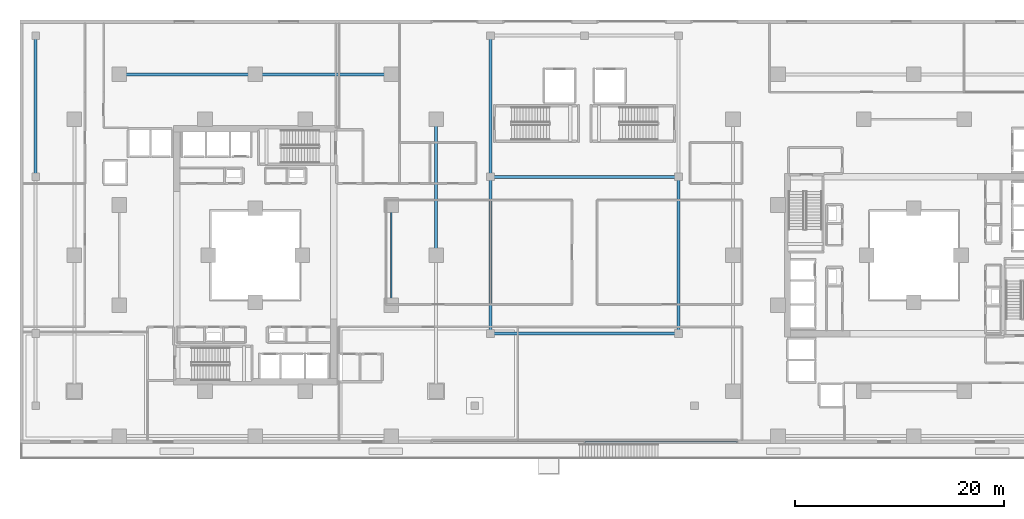
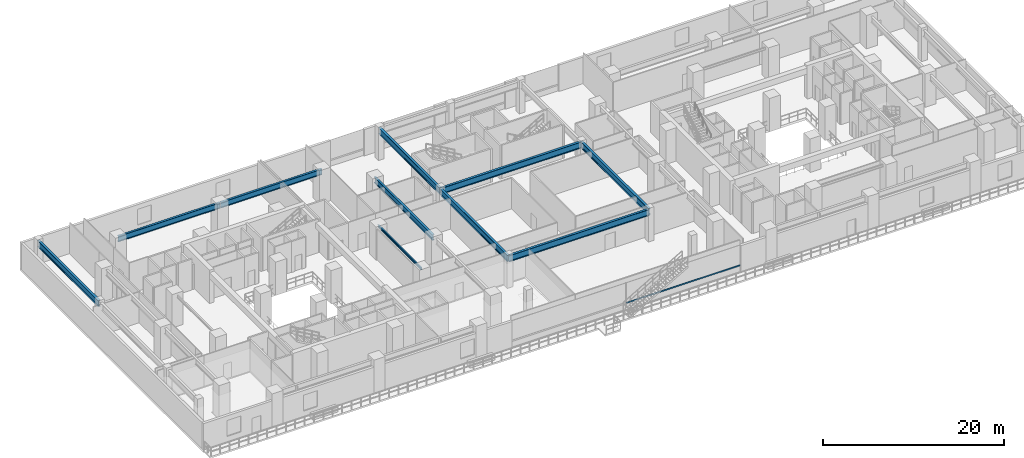
# One storey, part 4 of 24: 10 beams, 1 member, 1 element without a shape of its own.
"""IFC4 building model written with IfcOpenShell, lengths in metres."""

from ifc_helpers import new_model, si_unit, direction, frame, origin, origin_2d, place, context, subcontext, project, spatial, hollow_rectangle, i_section, extrude, material, material_profile, profile_set, type_object, element, aggregate, save


model = new_model("IFC4")

# Units and contexts
model_context = context("Model", 3, precision=1e-05, world=origin(), true_north=direction((0.0, 1.0)))
body_context = subcontext(model_context, "Body", "Model", "MODEL_VIEW")
ifc_project = project(units=[si_unit("LENGTHUNIT", "METRE"), si_unit("AREAUNIT", "SQUARE_METRE"), si_unit("VOLUMEUNIT", "CUBIC_METRE"), si_unit("PLANEANGLEUNIT", "RADIAN"), si_unit("MASSUNIT", "GRAM", prefix="KILO")], contexts=[model_context])

# Site, building, storey
site_placement = place(None, origin())
site = spatial("IfcSite", under=ifc_project, at=site_placement, CompositionType="ELEMENT")
building_placement = place(site_placement, origin())
building = spatial("IfcBuilding", under=site, at=building_placement, Name="Thornwick Lancets Civic Towers", CompositionType="ELEMENT")
storey_placement = place(building_placement, frame((0.0, 0.0, 14.10009765625)))
storey = spatial("IfcBuildingStorey", under=building, at=storey_placement, Name="L03", CompositionType="ELEMENT", Elevation=14.10009765625)

# Beams
ifc_material_1 = material(Name="Steel S355JR", Category="steel")
ifc_material_profile_1 = material_profile(ifc_material_1, i_section(OverallWidth=0.26806640625, OverallDepth=0.769775390625, WebThickness=0.015625, FlangeThickness=0.025390625, FilletRadius=0.0166015625, at=origin_2d()), Name="UKB 762x267x197")
ifc_profile_set_1 = profile_set([ifc_material_profile_1], Name="Steel S355JR")
beam_type_1 = type_object("IfcBeamType", Name="BM_GIRD_762_197", PredefinedType="BEAM", material=ifc_profile_set_1)
beam_1_placement = place(storey_placement, frame((42.800048828125, 27.080078125, 3.794921875), z_axis=(0.0, 1.0, 0.0), x_axis=(-1.0, 0.0, 0.0)))
element("IfcBeam", 1, at=beam_1_placement, inside=storey, type_object=beam_type_1, Name="BM-SPINE-L03-A-4-5", PredefinedType="BEAM", context=body_context, shape_type="SweptSolid", body=[
    extrude(i_section(OverallWidth=0.26806640625, OverallDepth=0.769775390625, WebThickness=0.015625, FlangeThickness=0.025390625, FilletRadius=0.0166015625, at=origin_2d()), origin(), (0.0, 0.0, 1.0), 12.919921875),
])
beam_2_placement = place(storey_placement, frame((12.5, 44.300048828125, 3.794921875), z_axis=(1.0, 0.0, 0.0), x_axis=(0.0, 1.0, 0.0)))
element("IfcBeam", 2, at=beam_2_placement, inside=storey, type_object=beam_type_1, Name="BM-SPINE-L03-A-6-7", PredefinedType="BEAM", context=body_context, shape_type="SweptSolid", body=[
    extrude(i_section(OverallWidth=0.26806640625, OverallDepth=0.769775390625, WebThickness=0.015625, FlangeThickness=0.025390625, FilletRadius=0.0166015625, at=origin_2d()), origin(), (0.0, 0.0, 1.0), 13.0),
])
beam_3_placement = place(storey_placement, frame((25.580078125, 44.300048828125, 3.794921875), z_axis=(1.0, 0.0, 0.0), x_axis=(0.0, 1.0, 0.0)))
element("IfcBeam", 3, at=beam_3_placement, inside=storey, type_object=beam_type_1, Name="BM-SPINE-L03-A-7-8", PredefinedType="BEAM", context=body_context, shape_type="SweptSolid", body=[
    extrude(i_section(OverallWidth=0.26806640625, OverallDepth=0.769775390625, WebThickness=0.015625, FlangeThickness=0.025390625, FilletRadius=0.0166015625, at=origin_2d()), origin(), (0.0, 0.0, 1.0), 12.919921875),
])
ifc_material_profile_2 = material_profile(ifc_material_1, i_section(OverallWidth=0.1669921875, OverallDepth=0.310302734375, WebThickness=0.0078125, FlangeThickness=0.013671875, FilletRadius=0.0087890625, at=origin_2d()), Name="UKB 305x165x54")
ifc_profile_set_2 = profile_set([ifc_material_profile_2], Name="Steel S355JR")
beam_type_2 = type_object("IfcBeamType", Name="BM_LINTEL_305_54", PredefinedType="LINTEL", material=ifc_profile_set_2)
beam_4_placement = place(storey_placement, frame((38.5, 22.199951171875, 4.024658203125), z_axis=(0.0, 1.0, 0.0), x_axis=(-1.0, 0.0, 0.0)))
element("IfcBeam", 4, at=beam_4_placement, inside=storey, type_object=beam_type_2, Name="BM-INSP-L03-A-1-3", PredefinedType="LINTEL", context=body_context, shape_type="SweptSolid", body=[
    extrude(i_section(OverallWidth=0.1669921875, OverallDepth=0.310302734375, WebThickness=0.0078125, FlangeThickness=0.013671875, FilletRadius=0.0087890625, at=origin_2d()), origin(), (0.0, 0.0, 1.0), 9.60009765625),
])
ifc_material_profile_3 = material_profile(ifc_material_1, i_section(OverallWidth=0.293701171875, OverallDepth=0.850830078125, WebThickness=0.01611328125, FlangeThickness=0.02685546875, FilletRadius=0.017822265625, at=origin_2d()), Name="UKB 838x292x226")
ifc_profile_set_3 = profile_set([ifc_material_profile_3], Name="Steel S355JR")
beam_type_3 = type_object("IfcBeamType", Name="BM_POD_838_226", PredefinedType="BEAM", material=ifc_profile_set_3)
beam_5_placement = place(storey_placement, frame((4.5, 34.580078125, 3.75439453125), z_axis=(0.0, 1.0, 0.0), x_axis=(-1.0, 0.0, 0.0)))
element("IfcBeam", 5, at=beam_5_placement, inside=storey, type_object=beam_type_3, Name="BM-PODG-L03-5-6", PredefinedType="BEAM", context=body_context, shape_type="SweptSolid", body=[
    extrude(i_section(OverallWidth=0.293701171875, OverallDepth=0.850830078125, WebThickness=0.01611328125, FlangeThickness=0.02685546875, FilletRadius=0.017822265625, at=origin_2d()), origin(), (0.0, 0.0, 1.0), 13.419921875),
])
beam_6_placement = place(storey_placement, frame((48.0, 19.5, 3.75439453125), z_axis=(1.0, 0.0, 0.0), x_axis=(0.0, 1.0, 0.0)))
element("IfcBeam", 6, at=beam_6_placement, inside=storey, type_object=beam_type_3, Name="BM-PODG-L03-7-8", PredefinedType="BEAM", context=body_context, shape_type="SweptSolid", body=[
    extrude(i_section(OverallWidth=0.293701171875, OverallDepth=0.850830078125, WebThickness=0.01611328125, FlangeThickness=0.02685546875, FilletRadius=0.017822265625, at=origin_2d()), origin(), (0.0, 0.0, 1.0), 18.0),
])
for number, where, z_axis, x_axis, name in (
    (7, (48.0, 19.5, 3.75439453125), (0.0, 1.0, 0.0), (-1.0, 0.0, 0.0), "BM-PODG-L03-7-9"),
    (8, (66.0, 19.5, 3.75439453125), (0.0, 1.0, 0.0), (-1.0, 0.0, 0.0), "BM-PODG-L03-8-10"),
):
    element("IfcBeam", number, at=place(storey_placement, frame(where, z_axis=z_axis, x_axis=x_axis)), inside=storey, type_object=beam_type_3, Name=name, PredefinedType="BEAM", context=body_context, shape_type="SweptSolid", body=[
        extrude(i_section(OverallWidth=0.293701171875, OverallDepth=0.850830078125, WebThickness=0.01611328125, FlangeThickness=0.02685546875, FilletRadius=0.017822265625, at=origin_2d()), origin(), (0.0, 0.0, 1.0), 15.0),
    ])
beam_7_placement = place(storey_placement, frame((48.0, 34.5, 3.75439453125), z_axis=(1.0, 0.0, 0.0), x_axis=(0.0, 1.0, 0.0)))
element("IfcBeam", 9, at=beam_7_placement, inside=storey, type_object=beam_type_3, Name="BM-PODG-L03-9-10", PredefinedType="BEAM", context=body_context, shape_type="SweptSolid", body=[
    extrude(i_section(OverallWidth=0.293701171875, OverallDepth=0.850830078125, WebThickness=0.01611328125, FlangeThickness=0.02685546875, FilletRadius=0.017822265625, at=origin_2d()), origin(), (0.0, 0.0, 1.0), 18.0),
])
beam_8_placement = place(storey_placement, frame((48.0, 34.580078125, 3.75439453125), z_axis=(0.0, 1.0, 0.0), x_axis=(-1.0, 0.0, 0.0)))
element("IfcBeam", 10, at=beam_8_placement, inside=storey, type_object=beam_type_3, Name="BM-PODG-L03-9-11", PredefinedType="BEAM", context=body_context, shape_type="SweptSolid", body=[
    extrude(i_section(OverallWidth=0.293701171875, OverallDepth=0.850830078125, WebThickness=0.01611328125, FlangeThickness=0.02685546875, FilletRadius=0.017822265625, at=origin_2d()), origin(), (0.0, 0.0, 1.0), 13.419921875),
])

# Curtain wall, member
ifc_material_2 = material(Name="Terracotta-trimmed cascading podium ribbon curtain wall", Category="masonry")
curtain_wall_type = type_object("IfcCurtainWallType", Name="CW_SYS_02", PredefinedType="NOTDEFINED", material=ifc_material_2)
curtain_wall_placement = place(storey_placement, origin())
curtain_wall = element("IfcCurtainWall", 11, at=curtain_wall_placement, inside=storey, type_object=curtain_wall_type, Name="L03 Curtain Wall CW-L03-POD-SC", PredefinedType="NOTDEFINED")
ifc_material_3 = material(Name="Thermally broken bronze aluminium S355", Category="steel")
ifc_material_profile_4 = material_profile(ifc_material_3, hollow_rectangle(XDim=0.074951171875, YDim=0.179931640625, WallThickness=0.006103515625, at=origin_2d()), Name="RHS 180x75x6")
ifc_profile_set_4 = profile_set([ifc_material_profile_4], Name="Thermally broken bronze aluminium S355")
member_type = type_object("IfcMemberType", Name="CW_TRN_180", PredefinedType="USERDEFINED", material=ifc_profile_set_4)
member_placement = place(storey_placement, frame((57.02001953125, 9.159912109375, 0.849853515625), z_axis=(1.0, 0.0, 0.0), x_axis=(0.0, 1.0, 0.0)))
member = element("IfcMember", 12, at=member_placement, type_object=member_type, Name="CW-L03-POD-SC Transom 1", ObjectType="TRANSOM", PredefinedType="USERDEFINED", context=body_context, shape_type="SweptSolid", body=[
    extrude(hollow_rectangle(XDim=0.074951171875, YDim=0.179931640625, WallThickness=0.006103515625, at=origin_2d()), origin(), (0.0, 0.0, 1.0), 14.56005859375),
])
aggregate(curtain_wall, [member])

save(model, "model.ifc")
